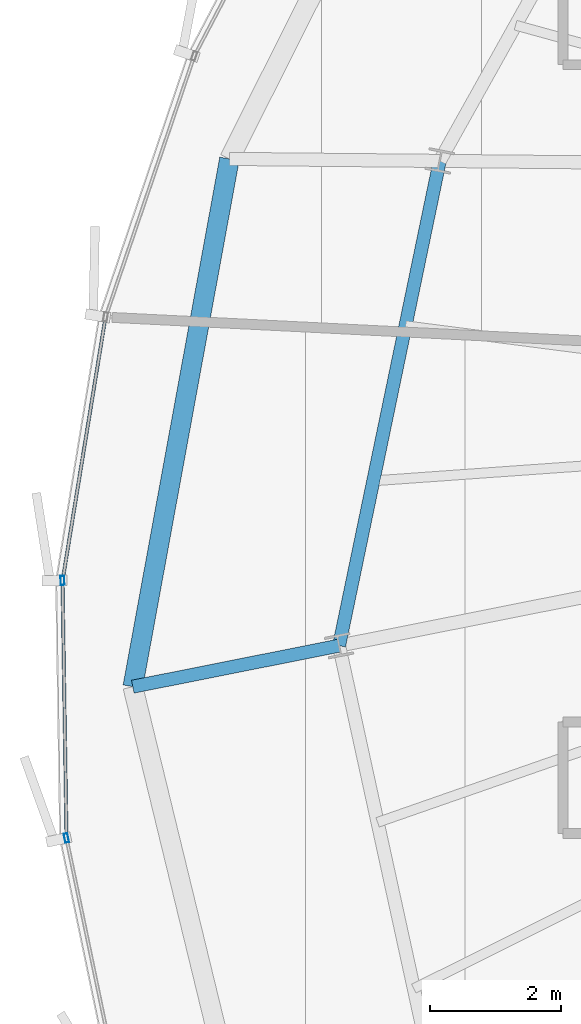
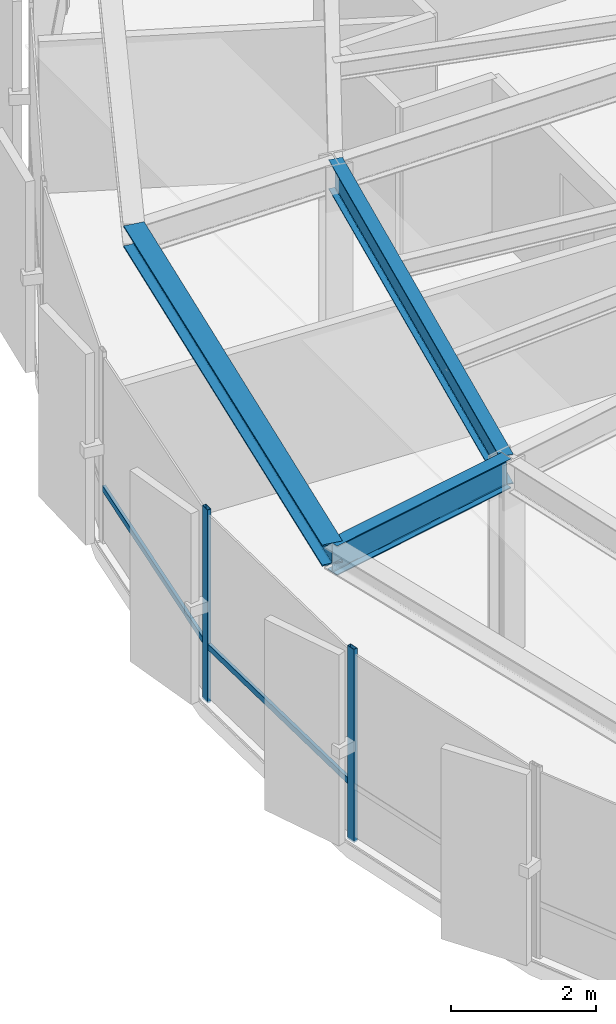
# One storey, part 10 of 37: 4 members, 3 beams, 1 element without a shape of its own.
"""IFC4 building model written with IfcOpenShell, lengths in metres."""

import ifcopenshell
import ifcopenshell.guid

model = None  # the IFC model being written
_history = None  # IfcOwnerHistory: only IFC2X3 demands one
_inside = {}  # id of a spatial element -> (the spatial element, [elements in it])
_under = {}  # id of a project, library or spatial element -> (it, [spatial elements below it])
_declared = {}  # id of a project -> (the project, [libraries it declares])
_typed = {}  # id of a type object -> (the type object, [elements of that type])
_made_of = {}  # id of a material, layer set ... -> (it, [elements and type objects made of it])


def new_model(schema):
    """Start an empty IFC model of exactly this schema.

    Asked for "IFC4X3", IfcOpenShell would pick the latest addendum, in which some entities
    have other attributes; the version numbers below select the first issue.
    IFC2X3 requires an IfcOwnerHistory on every rooted entity: one is made here for all.
    """
    global model, _history
    if schema == "IFC4X3":
        model = ifcopenshell.file(schema_version=(4, 3, 0, 0))
    else:
        model = ifcopenshell.file(schema=schema)
    _inside.clear()
    _under.clear()
    _declared.clear()
    _typed.clear()
    _made_of.clear()
    _history = None
    if model.schema == "IFC2X3":
        org = make("IfcOrganization", Name="unknown")
        user = make(
            "IfcPersonAndOrganization",
            ThePerson=make("IfcPerson", FamilyName="unknown"),
            TheOrganization=org,
        )
        app = make(
            "IfcApplication",
            ApplicationDeveloper=org,
            Version="unknown",
            ApplicationFullName="unknown",
            ApplicationIdentifier="unknown",
        )
        _history = make(
            "IfcOwnerHistory",
            OwningUser=user,
            OwningApplication=app,
            ChangeAction="ADDED",
            CreationDate=0,
        )
    return model


def make(cls, **values):
    """One entity of the class cls with the attributes given. An attribute that is None is left unset."""
    return model.create_entity(
        cls, **{name: value for name, value in values.items() if value is not None}
    )


def rooted(cls, **values):
    """An entity with a GlobalId (a new one), such as an element, a storey or a relation."""
    return make(cls, GlobalId=ifcopenshell.guid.new(), OwnerHistory=_history, **values)


def si_unit(unit_type, name, prefix=None):
    """IfcSIUnit, for example si_unit("LENGTHUNIT", "METRE", prefix="MILLI")."""
    return make("IfcSIUnit", UnitType=unit_type, Prefix=prefix, Name=name)


def assignment(units):
    """IfcUnitAssignment: the units of a project."""
    return None if units is None else make("IfcUnitAssignment", Units=units)


def point(xyz):
    """IfcCartesianPoint."""
    return None if xyz is None else make("IfcCartesianPoint", Coordinates=xyz)


def direction(xyz):
    """IfcDirection."""
    return None if xyz is None else make("IfcDirection", DirectionRatios=xyz)


def frame(location, z_axis=None, x_axis=None):
    """IfcAxis2Placement3D, a coordinate frame: its origin and axes. An axis left out is left unset."""
    return make(
        "IfcAxis2Placement3D",
        Location=point(location),
        Axis=direction(z_axis),
        RefDirection=direction(x_axis),
    )


def frame_2d(location, x_axis=None):
    """IfcAxis2Placement2D, a coordinate frame in the plane: its origin and x axis."""
    return make(
        "IfcAxis2Placement2D", Location=point(location), RefDirection=direction(x_axis)
    )


def origin():
    """The frame at (0, 0, 0) with its axes left unset."""
    return frame((0.0, 0.0, 0.0))


def origin_2d():
    """The frame at (0, 0) in the plane with its x axis left unset."""
    return frame_2d((0.0, 0.0))


def place(relative_to, where):
    """IfcLocalPlacement: puts the frame where relative to a parent placement (None: the world)."""
    return make(
        "IfcLocalPlacement", PlacementRelTo=relative_to, RelativePlacement=where
    )


def context(
    kind, dimensions, precision=None, world=None, true_north=None, identifier=None
):
    """IfcGeometricRepresentationContext, for example the 3D "Model" context."""
    return make(
        "IfcGeometricRepresentationContext",
        ContextIdentifier=identifier,
        ContextType=kind,
        CoordinateSpaceDimension=dimensions,
        Precision=precision,
        WorldCoordinateSystem=world,
        TrueNorth=true_north,
    )


def subcontext(parent, identifier, kind, view, scale=None):
    """IfcGeometricRepresentationSubContext, for example "Body" below "Model"."""
    return make(
        "IfcGeometricRepresentationSubContext",
        ContextIdentifier=identifier,
        ContextType=kind,
        ParentContext=parent,
        TargetScale=scale,
        TargetView=view,
    )


def project(units=None, contexts=None):
    """IfcProject with its units and contexts."""
    return rooted(
        "IfcProject",
        Name="project",
        RepresentationContexts=contexts,
        UnitsInContext=assignment(units),
    )


def spatial(cls, under=None, at=None, **own):
    """A site, building, storey or space (cls), placed at a placement, below another one or the project."""
    s = rooted(cls, ObjectPlacement=at, **own)
    if under is not None:
        _under.setdefault(under.id(), (under, []))[1].append(s)
    return s


def profile(cls, at=None, kind="AREA", **sizes):
    """A parametric profile (cls). Its sizes go by their IFC names, for example OverallWidth=200.0."""
    return make(cls, ProfileType=kind, Position=at, **sizes)


def hollow_rectangle(**sizes):
    """IfcRectangleHollowProfileDef."""
    return profile("IfcRectangleHollowProfileDef", **sizes)


def i_section(**sizes):
    """IfcIShapeProfileDef."""
    return profile("IfcIShapeProfileDef", **sizes)


def extrude(swept, where, along, depth):
    """IfcExtrudedAreaSolid: the profile swept, set in the frame where, extruded along a direction by depth."""
    return make(
        "IfcExtrudedAreaSolid",
        SweptArea=swept,
        Position=where,
        ExtrudedDirection=direction(along),
        Depth=depth,
    )


def shape(context_of_items, identifier, shape_type, items):
    """IfcShapeRepresentation: the items that make up one representation, for example the "Body"."""
    return make(
        "IfcShapeRepresentation",
        ContextOfItems=context_of_items,
        RepresentationIdentifier=identifier,
        RepresentationType=shape_type,
        Items=items,
    )


def source(mapping_origin, context_of_items, identifier, shape_type, items):
    """IfcRepresentationMap: a shape defined once, which mapped items show again and again."""
    return make(
        "IfcRepresentationMap",
        MappingOrigin=mapping_origin,
        MappedRepresentation=shape(context_of_items, identifier, shape_type, items),
    )


def transform(
    local_origin,
    x_axis=None,
    y_axis=None,
    z_axis=None,
    scale=None,
    scale2=None,
    scale3=None,
    uniform=True,
):
    """IfcCartesianTransformationOperator3D, or its non-uniform kind. x_axis, y_axis, z_axis: its Axis1, 2, 3."""
    if uniform:
        return make(
            "IfcCartesianTransformationOperator3D",
            Axis1=direction(x_axis),
            Axis2=direction(y_axis),
            LocalOrigin=point(local_origin),
            Scale=scale,
            Axis3=direction(z_axis),
        )
    return make(
        "IfcCartesianTransformationOperator3DnonUniform",
        Axis1=direction(x_axis),
        Axis2=direction(y_axis),
        LocalOrigin=point(local_origin),
        Scale=scale,
        Axis3=direction(z_axis),
        Scale2=scale2,
        Scale3=scale3,
    )


def mapped(mapping_source, mapping_target):
    """IfcMappedItem: shows the shape of a source again, moved by a transform."""
    return make(
        "IfcMappedItem", MappingSource=mapping_source, MappingTarget=mapping_target
    )


def material(Name=None, Category=None):
    """IfcMaterial."""
    return make("IfcMaterial", Name=Name, Category=Category)


def layer(
    of_material, thickness, ventilated=None, Name=None, Category=None, Priority=None
):
    """IfcMaterialLayer: one layer of a wall or slab, of a material (None: an air gap)."""
    return make(
        "IfcMaterialLayer",
        Material=of_material,
        LayerThickness=thickness,
        IsVentilated=ventilated,
        Name=Name,
        Category=Category,
        Priority=Priority,
    )


def layer_set(layers, Name=None):
    """IfcMaterialLayerSet."""
    return make("IfcMaterialLayerSet", MaterialLayers=layers, LayerSetName=Name)


def material_profile(
    of_material, cross_section, Name=None, Category=None, Priority=None
):
    """IfcMaterialProfile: a cross section and its material."""
    return make(
        "IfcMaterialProfile",
        Name=Name,
        Material=of_material,
        Profile=cross_section,
        Priority=Priority,
        Category=Category,
    )


def profile_set(profiles, Name=None, composite=None):
    """IfcMaterialProfileSet."""
    return make(
        "IfcMaterialProfileSet",
        Name=Name,
        MaterialProfiles=profiles,
        CompositeProfile=composite,
    )


def made_of(thing, what):
    """Note that an element or type object is made of a material, layer set ...; save() writes the relation."""
    if what is not None:
        _made_of.setdefault(what.id(), (what, []))[1].append(thing)
    return thing


def type_object(cls, material=None, **own):
    """A type object (cls), such as IfcWallType, which elements share."""
    return made_of(rooted(cls, **own), material)


def element(
    cls,
    number,
    at=None,
    inside=None,
    cuts=None,
    type_object=None,
    material=None,
    context=None,
    identifier="Body",
    shape_type=None,
    held_by="IfcProductDefinitionShape",
    body=None,
    shapes=None,
    **own,
):
    """One element of the class cls, such as IfcWall. Its Tag is "e" and its number.

    at: its placement. inside: the storey or other place that contains it. cuts: it is an
    opening in that element (IfcRelVoidsElement). A single representation is given by context,
    identifier, shape_type and body (its items); several are given by shapes. held_by: the class
    of the entity that holds the representations. save() writes the other relations.
    """
    e = rooted(cls, Tag="e%d" % number, ObjectPlacement=at, **own)
    if body is not None:
        shapes = [shape(context, identifier, shape_type, body)]
    if shapes is not None:
        e.Representation = make(held_by, Representations=shapes)
    if inside is not None:
        _inside.setdefault(inside.id(), (inside, []))[1].append(e)
    if cuts is not None:
        rooted(
            "IfcRelVoidsElement", RelatingBuildingElement=cuts, RelatedOpeningElement=e
        )
    if type_object is not None:
        _typed.setdefault(type_object.id(), (type_object, []))[1].append(e)
    return made_of(e, material)


def aggregate(whole, parts):
    """IfcRelAggregates: a whole, such as a stair, and the parts it consists of."""
    return rooted("IfcRelAggregates", RelatingObject=whole, RelatedObjects=parts)


def save(model, path):
    """Write the relations noted so far, then the file.

    IfcRelAggregates (storeys below a building ...), IfcRelContainedInSpatialStructure (elements
    in a storey), IfcRelDefinesByType, IfcRelAssociatesMaterial and IfcRelDeclares: one each for
    every whole, place, type object, material and project.
    """
    for whole, parts in _under.values():
        aggregate(whole, parts)
    for where, things in _inside.values():
        rooted(
            "IfcRelContainedInSpatialStructure",
            RelatedElements=things,
            RelatingStructure=where,
        )
    for kind, things in _typed.values():
        rooted("IfcRelDefinesByType", RelatedObjects=things, RelatingType=kind)
    for what, things in _made_of.values():
        rooted("IfcRelAssociatesMaterial", RelatedObjects=things, RelatingMaterial=what)
    for by, libraries in _declared.values():
        rooted("IfcRelDeclares", RelatingContext=by, RelatedDefinitions=libraries)
    model.write(path)


model = new_model("IFC4")

# Units and contexts
model_context = context("Model", 3, precision=1e-05, world=origin(), true_north=direction((0.0, 1.0)))
body_context = subcontext(model_context, "Body", "Model", "MODEL_VIEW")
ifc_project = project(units=[si_unit("LENGTHUNIT", "METRE"), si_unit("AREAUNIT", "SQUARE_METRE"), si_unit("VOLUMEUNIT", "CUBIC_METRE"), si_unit("PLANEANGLEUNIT", "RADIAN"), si_unit("MASSUNIT", "GRAM", prefix="KILO"), si_unit("THERMODYNAMICTEMPERATUREUNIT", "KELVIN")], contexts=[model_context])

# Site, building, storey
site_placement = place(None, origin())
site = spatial("IfcSite", under=ifc_project, at=site_placement, CompositionType="ELEMENT")
building_placement = place(site_placement, origin())
building = spatial("IfcBuilding", under=site, at=building_placement, Name="Kethvar Cultural Tower", CompositionType="ELEMENT")
storey_placement = place(building_placement, frame((0.0, 0.0, 200.89990234375)))
storey = spatial("IfcBuildingStorey", under=building, at=storey_placement, Name="L52", CompositionType="ELEMENT", Elevation=200.89990234375)

# Beams
ifc_material_1 = material(Name="Steel S355J2", Category="steel")
ifc_material_profile_1 = material_profile(ifc_material_1, i_section(OverallWidth=0.199951171875, OverallDepth=0.5, WebThickness=0.01025390625, FlangeThickness=0.01611328125, FilletRadius=0.02099609375, at=origin_2d()), Name="Steel S355J2 — IPE500")
ifc_profile_set_1 = profile_set([ifc_material_profile_1], Name="Steel S355J2 — IPE500")
beam_type_1 = type_object("IfcBeamType", Name="BM-IPE500", PredefinedType="BEAM", material=ifc_profile_set_1)
shared_shape_1 = source(origin(), body_context, "Body", "SweptSolid", [
    extrude(i_section(OverallWidth=0.199951171875, OverallDepth=0.5, WebThickness=0.01025390625, FlangeThickness=0.01611328125, FilletRadius=0.02099609375, at=origin_2d()), origin(), (0.0, 0.0, 1.0), 3.199951171875),
])
beam_1_placement = place(storey_placement, frame((27.492919921875, 23.959716796875, 3.008056640625), z_axis=(-0.980770949178, -0.195162356126, 0.0), x_axis=(0.195162356126, -0.980770949178, 0.0)))
element("IfcBeam", 1, at=beam_1_placement, inside=storey, type_object=beam_type_1, Name="L52 Perimeter Cantilever Beam RC-09", PredefinedType="BEAM", context=body_context, shape_type="MappedRepresentation", body=[
    mapped(shared_shape_1, transform((0.0, 0.0, 0.0), scale=1.0)),
])
shared_shape_2 = source(origin(), body_context, "Body", "SweptSolid", [
    extrude(i_section(OverallWidth=0.199951171875, OverallDepth=0.5, WebThickness=0.01025390625, FlangeThickness=0.01611328125, FilletRadius=0.02099609375, at=origin_2d()), origin(), (0.0, 0.0, 1.0), 7.533447265625),
])
beam_2_placement = place(storey_placement, frame((29.02490234375, 31.335693359375, 3.008056640625), z_axis=(-0.203358905185, -0.979104261906, 0.0), x_axis=(0.979104261906, -0.203358905185, 0.0)))
element("IfcBeam", 2, at=beam_2_placement, inside=storey, type_object=beam_type_1, Name="L52 Column Ring Tie Beam CR-08", PredefinedType="BEAM", context=body_context, shape_type="MappedRepresentation", body=[
    mapped(shared_shape_2, transform((0.0, 0.0, 0.0), scale=1.0)),
])
ifc_material_profile_2 = material_profile(ifc_material_1, i_section(OverallWidth=0.300048828125, OverallDepth=0.360107421875, WebThickness=0.012451171875, FlangeThickness=0.0224609375, FilletRadius=0.027099609375, at=origin_2d()), Name="Steel S355J2 — HEB360")
ifc_profile_set_2 = profile_set([ifc_material_profile_2], Name="Steel S355J2 — HEB360")
beam_type_2 = type_object("IfcBeamType", Name="BM-SP360", PredefinedType="SPANDREL", material=ifc_profile_set_2)
shared_shape_3 = source(origin(), body_context, "Body", "SweptSolid", [
    extrude(i_section(OverallWidth=0.300048828125, OverallDepth=0.360107421875, WebThickness=0.012451171875, FlangeThickness=0.0224609375, FilletRadius=0.027099609375, at=origin_2d()), origin(), (0.0, 0.0, 1.0), 8.16455078125),
])
beam_3_placement = place(storey_placement, frame((25.824951171875, 31.3662109375, 3.078125), z_axis=(-0.180103654572, -0.983647636916, 0.0), x_axis=(0.983647636916, -0.180103654572, 0.0)))
element("IfcBeam", 3, at=beam_3_placement, inside=storey, type_object=beam_type_2, Name="L52 Perimeter Spandrel Beam SP-08", PredefinedType="SPANDREL", context=body_context, shape_type="MappedRepresentation", body=[
    mapped(shared_shape_3, transform((0.0, 0.0, 0.0), scale=1.0)),
])

# Curtain wall, members
ifc_material_2 = material(Name="Aluminium 6063-T6", Category="aluminium")
ifc_layer = layer(ifc_material_2, 0.179931640625, Name="Aluminium 6063-T6", Category="aluminium")
ifc_layer_set = layer_set([ifc_layer], Name="Aluminium 6063-T6 (180 mm)")
curtain_wall_type = type_object("IfcCurtainWallType", Name="CW-SYS-04-Z34", PredefinedType="NOTDEFINED", material=ifc_layer_set)
curtain_wall_placement = place(storey_placement, origin())
curtain_wall = element("IfcCurtainWall", 4, at=curtain_wall_placement, inside=storey, type_object=curtain_wall_type, Name="L52 Curtain Wall Run 03", PredefinedType="NOTDEFINED")
ifc_material_profile_3 = material_profile(ifc_material_2, hollow_rectangle(XDim=0.06005859375, YDim=0.139892578125, WallThickness=0.0048828125, at=origin_2d()), Name="Aluminium 6063-T6 — RHS140x60x5")
ifc_profile_set_3 = profile_set([ifc_material_profile_3], Name="Aluminium 6063-T6 — RHS140x60x5")
member_type_1 = type_object("IfcMemberType", Name="CW-SYS-04-Z34-MUL", PredefinedType="MULLION", material=ifc_profile_set_3)
shared_shape_4 = source(origin(), body_context, "Body", "SweptSolid", [
    extrude(hollow_rectangle(XDim=0.06005859375, YDim=0.139892578125, WallThickness=0.0048828125, at=origin_2d()), origin(), (0.0, 0.0, 1.0), 3.260009765625),
])
member_1_placement = place(storey_placement, frame((23.284423828125, 24.952392578125, 0.0), z_axis=(0.0, 0.0, 1.0), x_axis=(0.999877453544, 0.015654963872, 0.0)))
member_1 = element("IfcMember", 5, at=member_1_placement, type_object=member_type_1, Name="CW-L52-R03 Mullion 5", PredefinedType="MULLION", context=body_context, shape_type="MappedRepresentation", body=[
    mapped(shared_shape_4, transform((0.0, 0.0, 0.0), scale=1.0)),
])
member_2_placement = place(storey_placement, frame((23.343994140625, 21.03369140625, 0.0), z_axis=(0.0, 0.0, 1.0), x_axis=(0.978981448229, 0.203949317292, 0.0)))
member_2 = element("IfcMember", 6, at=member_2_placement, type_object=member_type_1, Name="CW-L52-R03 Mullion 6", PredefinedType="MULLION", context=body_context, shape_type="MappedRepresentation", body=[
    mapped(shared_shape_4, transform((0.0, 0.0, 0.0), scale=1.0)),
])
ifc_material_profile_4 = material_profile(ifc_material_2, hollow_rectangle(XDim=0.050048828125, YDim=0.10009765625, WallThickness=0.00390625, at=origin_2d()), Name="Aluminium 6063-T6 — RHS100x50x4")
ifc_profile_set_4 = profile_set([ifc_material_profile_4], Name="Aluminium 6063-T6 — RHS100x50x4")
member_type_2 = type_object("IfcMemberType", Name="CW-SYS-04-Z34-TRN", PredefinedType="USERDEFINED", material=ifc_profile_set_4)
shared_shape_5 = source(origin(), body_context, "Body", "SweptSolid", [
    extrude(hollow_rectangle(XDim=0.050048828125, YDim=0.10009765625, WallThickness=0.00390625, at=origin_2d()), origin(), (0.0, 0.0, 1.0), 3.992919921875),
])
member_3_placement = place(storey_placement, frame((23.93212890625, 28.91650390625, 0.9501953125), z_axis=(-0.160808583879, -0.986985612535, 0.0), x_axis=(0.986985612535, -0.160808583879, 0.0)))
member_3 = element("IfcMember", 7, at=member_3_placement, type_object=member_type_2, Name="CW-L52-R03 Transom 4", ObjectType="TRANSOM", PredefinedType="USERDEFINED", context=body_context, shape_type="MappedRepresentation", body=[
    mapped(shared_shape_5, transform((0.0, 0.0, 0.0), scale=1.0)),
])
shared_shape_6 = source(origin(), body_context, "Body", "SweptSolid", [
    extrude(hollow_rectangle(XDim=0.050048828125, YDim=0.10009765625, WallThickness=0.00390625, at=origin_2d()), origin(), (0.0, 0.0, 1.0), 3.853515625),
])
member_4_placement = place(storey_placement, frame((23.28515625, 24.9091796875, 0.9501953125), z_axis=(0.015648824912, -0.999877549642, 0.0), x_axis=(0.999877549642, 0.015648824912, 0.0)))
member_4 = element("IfcMember", 8, at=member_4_placement, type_object=member_type_2, Name="CW-L52-R03 Transom 5", ObjectType="TRANSOM", PredefinedType="USERDEFINED", context=body_context, shape_type="MappedRepresentation", body=[
    mapped(shared_shape_6, transform((0.0, 0.0, 0.0), scale=1.0)),
])
aggregate(curtain_wall, [member_1, member_2, member_3, member_4])

save(model, "model.ifc")
